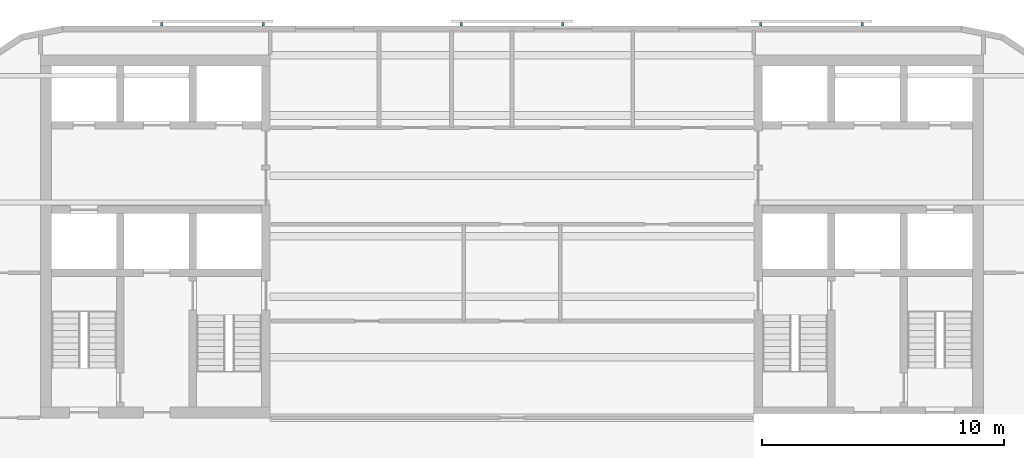
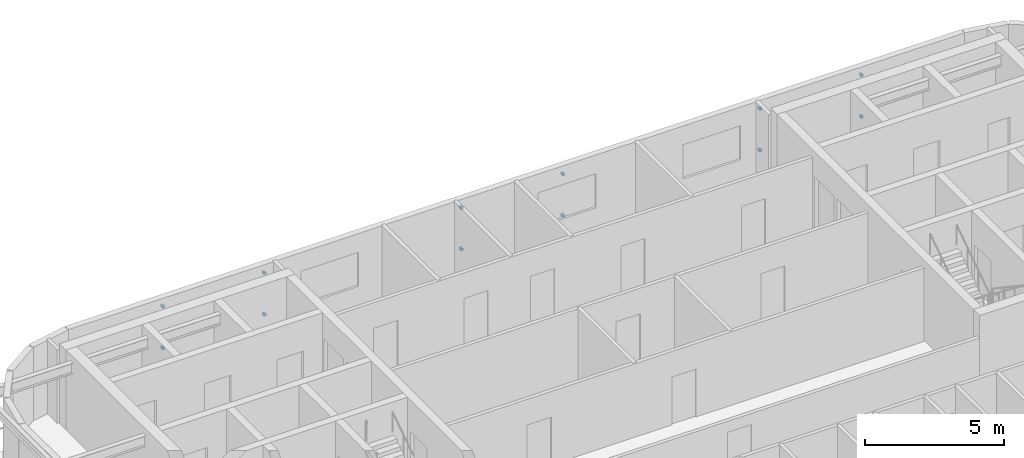
# One storey, part 8 of 11: 12 discrete accessories.
"""IFC4 building model written with IfcOpenShell, lengths in metres."""

from ifc_helpers import new_model, si_unit, direction, frame, origin, origin_2d, place, context, subcontext, project, spatial, rectangle, extrude, material, type_object, element, save


model = new_model("IFC4")

# Units and contexts
model_context = context("Model", 3, precision=1e-05, world=origin(), true_north=direction((0.0, 1.0)))
body_context = subcontext(model_context, "Body", "Model", "MODEL_VIEW")
ifc_project = project(units=[si_unit("LENGTHUNIT", "METRE"), si_unit("AREAUNIT", "SQUARE_METRE"), si_unit("VOLUMEUNIT", "CUBIC_METRE"), si_unit("PLANEANGLEUNIT", "RADIAN"), si_unit("MASSUNIT", "GRAM", prefix="KILO")], contexts=[model_context])

# Site, building, storey
site_placement = place(None, origin())
site = spatial("IfcSite", under=ifc_project, at=site_placement, CompositionType="ELEMENT")
building_placement = place(site_placement, origin())
building = spatial("IfcBuilding", under=site, at=building_placement, Name="Torana Hotel and Residences", CompositionType="ELEMENT")
storey_placement = place(building_placement, frame((0.0, 0.0, 266.60009765625)))
storey = spatial("IfcBuildingStorey", under=building, at=storey_placement, Name="L70", CompositionType="ELEMENT", Elevation=266.60009765625)

# Discrete accessories
ifc_material = material(Name="Steel S355", Category="steel")
discrete_accessory_type = type_object("IfcDiscreteAccessoryType", Name="SCREEN BRACKET 100", PredefinedType="BRACKET", material=ifc_material)
for number, where, z_axis, x_axis, name in (
    (1, (14.483642578125, 1.27490234375, 0.749755859375), (0.0, 0.0, 1.0), (-1.0, 0.0, 0.0), "Screen bracket L70"),
    (2, (14.483642578125, 1.27490234375, 2.56982421875), (0.0, 0.0, 1.0), (-1.0, 0.0, 0.0), "Screen bracket L70"),
    (3, (10.28369140625, 1.27490234375, 0.749755859375), (0.0, 0.0, 1.0), (-1.0, 0.0, 0.0), "Screen bracket L70"),
    (4, (10.28369140625, 1.27490234375, 2.56982421875), (0.0, 0.0, 1.0), (-1.0, 0.0, 0.0), "Screen bracket L70"),
    (5, (2.10009765625, 1.27490234375, 0.749755859375), (0.0, 0.0, 1.0), (-1.0, 0.0, 0.0), "Screen bracket L70"),
    (6, (2.10009765625, 1.27490234375, 2.56982421875), (0.0, 0.0, 1.0), (-1.0, 0.0, 0.0), "Screen bracket L70"),
    (7, (-2.10009765625, 1.27490234375, 0.749755859375), (0.0, 0.0, 1.0), (-1.0, 0.0, 0.0), "Screen bracket L70"),
    (8, (-2.10009765625, 1.27490234375, 2.56982421875), (0.0, 0.0, 1.0), (-1.0, 0.0, 0.0), "Screen bracket L70"),
    (9, (-10.28369140625, 1.27490234375, 0.749755859375), (0.0, 0.0, 1.0), (-1.0, 0.0, 0.0), "Screen bracket L70"),
    (10, (-10.28369140625, 1.27490234375, 2.56982421875), (0.0, 0.0, 1.0), (-1.0, 0.0, 0.0), "Screen bracket L70"),
    (11, (-14.483642578125, 1.27490234375, 0.749755859375), (0.0, 0.0, 1.0), (-1.0, 0.0, 0.0), "Screen bracket L70"),
    (12, (-14.483642578125, 1.27490234375, 2.56982421875), (0.0, 0.0, 1.0), (-1.0, 0.0, 0.0), "Screen bracket L70"),
):
    element("IfcDiscreteAccessory", number, at=place(storey_placement, frame(where, z_axis=z_axis, x_axis=x_axis)), inside=storey, type_object=discrete_accessory_type, Name=name, PredefinedType="BRACKET", context=body_context, shape_type="SweptSolid", body=[
        extrude(rectangle(XDim=0.10009765625, YDim=0.14990234375, at=origin_2d()), origin(), (0.0, 0.0, 1.0), 0.10009765625),
    ])

save(model, "model.ifc")
